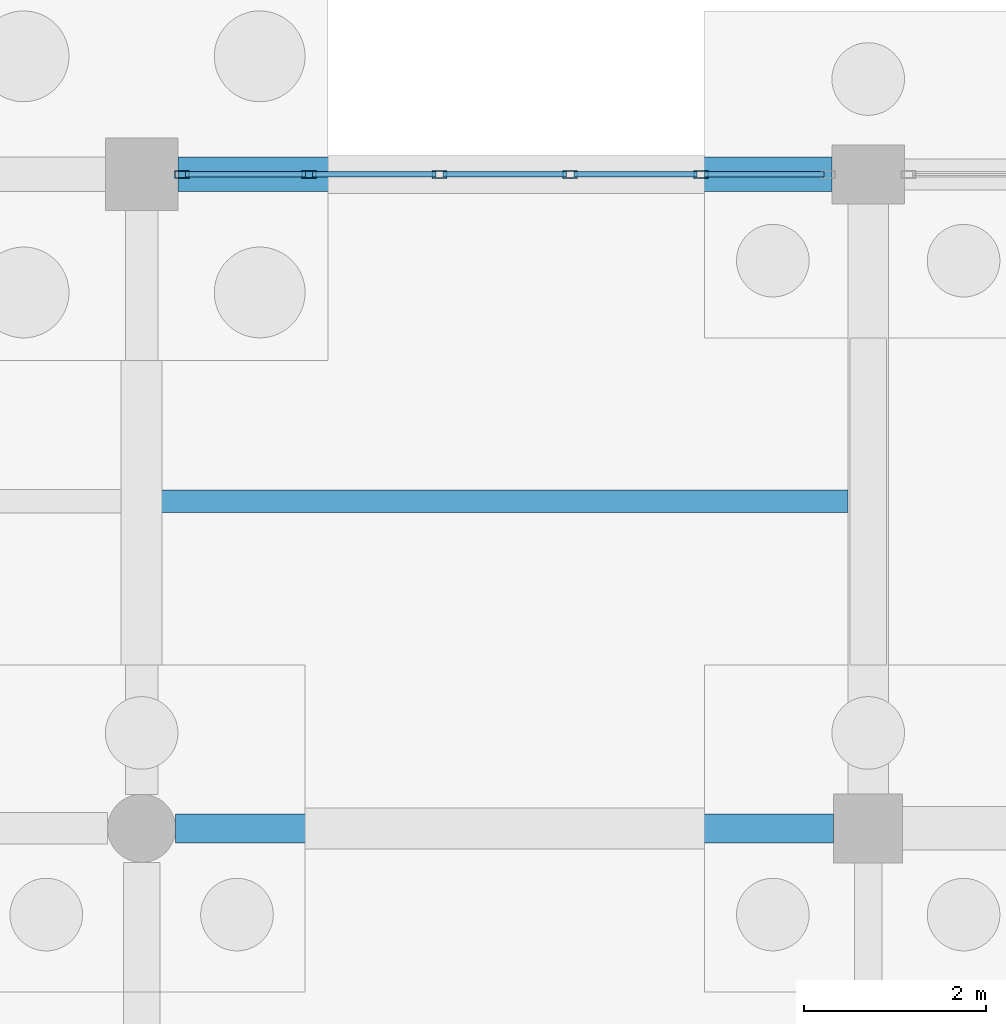
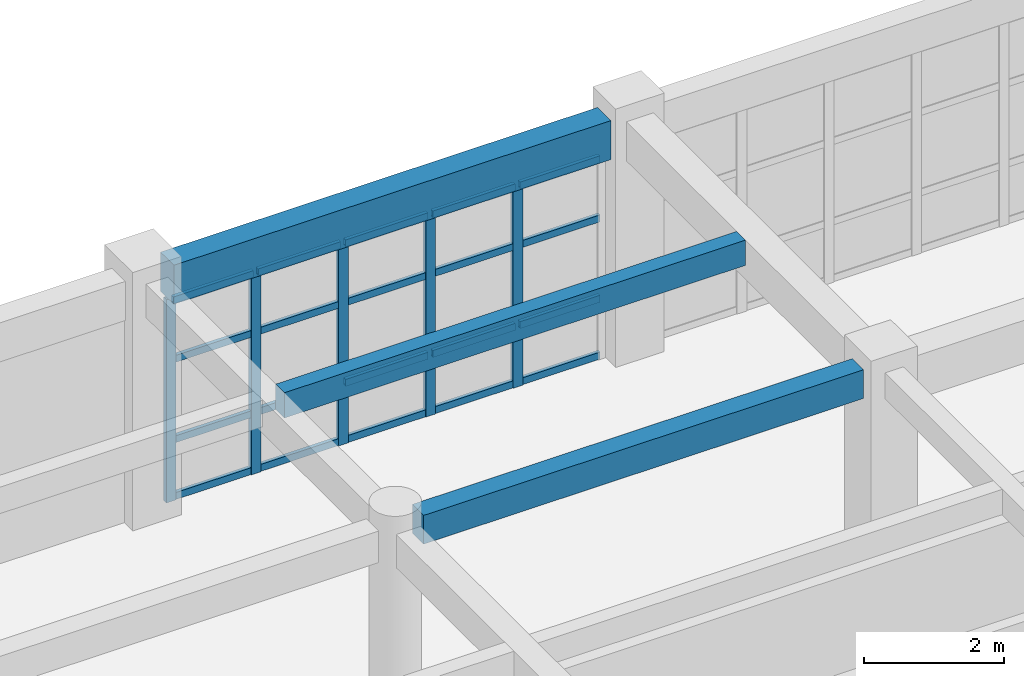
# One storey, part 70 of 166: 25 members, 3 beams, 1 element without a shape of its own.
"""IFC4 building model written with IfcOpenShell, lengths in metres."""

from ifc_helpers import new_model, si_unit, direction, frame, origin, origin_2d, place, context, subcontext, project, spatial, rectangle, hollow_rectangle, extrude, material, material_profile, profile_set, type_object, element, aggregate, save


model = new_model("IFC4")

# Units and contexts
model_context = context("Model", 3, precision=1e-05, world=origin(), true_north=direction((0.0, 1.0)))
body_context = subcontext(model_context, "Body", "Model", "MODEL_VIEW")
ifc_project = project(units=[si_unit("LENGTHUNIT", "METRE"), si_unit("AREAUNIT", "SQUARE_METRE"), si_unit("VOLUMEUNIT", "CUBIC_METRE"), si_unit("PLANEANGLEUNIT", "RADIAN"), si_unit("MASSUNIT", "GRAM", prefix="KILO")], contexts=[model_context])

# Site, building, storey
site_placement = place(None, origin())
site = spatial("IfcSite", under=ifc_project, at=site_placement, CompositionType="ELEMENT")
building_placement = place(site_placement, origin())
building = spatial("IfcBuilding", under=site, at=building_placement, Name="Kharva Crest Polytechnic", CompositionType="ELEMENT")
storey_placement = place(building_placement, origin())
storey = spatial("IfcBuildingStorey", under=building, at=storey_placement, Name="L00", CompositionType="ELEMENT", Elevation=0.0)

# Beam
ifc_material_1 = material(Name="Concrete C35/45", Category="concrete")
ifc_material_profile_1 = material_profile(ifc_material_1, rectangle(XDim=0.320068359375, YDim=0.5, at=origin_2d()), Name="RECT 320 X 500")
ifc_profile_set_1 = profile_set([ifc_material_profile_1], Name="Concrete C35/45")
beam_type_1 = type_object("IfcBeamType", Name="BM-RC-320X500", PredefinedType="BEAM", material=ifc_profile_set_1)
beam_1_placement = place(storey_placement, frame((88.375, 114.800048828125, 3.969970703125), z_axis=(1.0, 0.0, 0.0), x_axis=(0.0, 1.0, 0.0)))
element("IfcBeam", 1, at=beam_1_placement, inside=storey, type_object=beam_type_1, Name="L00 Beam R/12-13", PredefinedType="BEAM", context=body_context, shape_type="SweptSolid", body=[
    extrude(rectangle(XDim=0.320068359375, YDim=0.5, at=origin_2d()), origin(), (0.0, 0.0, 1.0), 7.2451171875),
])

# Curtain wall, members
ifc_material_2 = material(Name="Tempered insulated glass", Category="glass")
curtain_wall_type = type_object("IfcCurtainWallType", Name="CW-SYS-COURT", PredefinedType="USERDEFINED", material=ifc_material_2)
curtain_wall_placement = place(storey_placement, origin())
curtain_wall = element("IfcCurtainWall", 2, at=curtain_wall_placement, inside=storey, type_object=curtain_wall_type, Name="L00 Glazed Curtain Wall CW-027", ObjectType="CURTAIN WALL", PredefinedType="USERDEFINED")
ifc_material_3 = material(Name="Steel S355", Category="steel")
ifc_material_profile_2 = material_profile(ifc_material_3, hollow_rectangle(XDim=0.080078125, YDim=0.159912109375, WallThickness=0.0048828125, at=origin_2d()), Name="RHS 160X80X5.0")
ifc_profile_set_2 = profile_set([ifc_material_profile_2], Name="Steel S355")
member_type_1 = type_object("IfcMemberType", Name="CWM-RHS160X80", PredefinedType="MULLION", material=ifc_profile_set_2)
member_1_placement = place(storey_placement, frame((94.156982421875, 122.0, 0.0), z_axis=(0.0, 0.0, 1.0), x_axis=(0.0, -1.0, 0.0)))
member_1 = element("IfcMember", 3, at=member_1_placement, type_object=member_type_1, Name="CW-027 mullion 2", PredefinedType="MULLION", context=body_context, shape_type="SweptSolid", body=[
    extrude(hollow_rectangle(XDim=0.080078125, YDim=0.159912109375, WallThickness=0.0048828125, at=origin_2d()), origin(), (0.0, 0.0, 1.0), 3.5400390625),
])
member_2_placement = place(storey_placement, frame((92.718994140625, 122.0, 0.0), z_axis=(0.0, 0.0, 1.0), x_axis=(0.0, -1.0, 0.0)))
member_2 = element("IfcMember", 4, at=member_2_placement, type_object=member_type_1, Name="CW-027 mullion 3", PredefinedType="MULLION", context=body_context, shape_type="SweptSolid", body=[
    extrude(hollow_rectangle(XDim=0.080078125, YDim=0.159912109375, WallThickness=0.0048828125, at=origin_2d()), origin(), (0.0, 0.0, 1.0), 3.5400390625),
])
member_3_placement = place(storey_placement, frame((91.281005859375, 122.0, 0.0), z_axis=(0.0, 0.0, 1.0), x_axis=(0.0, -1.0, 0.0)))
member_3 = element("IfcMember", 5, at=member_3_placement, type_object=member_type_1, Name="CW-027 mullion 4", PredefinedType="MULLION", context=body_context, shape_type="SweptSolid", body=[
    extrude(hollow_rectangle(XDim=0.080078125, YDim=0.159912109375, WallThickness=0.0048828125, at=origin_2d()), origin(), (0.0, 0.0, 1.0), 3.5400390625),
])
member_4_placement = place(storey_placement, frame((89.843017578125, 122.0, 0.0), z_axis=(0.0, 0.0, 1.0), x_axis=(0.0, -1.0, 0.0)))
member_4 = element("IfcMember", 6, at=member_4_placement, type_object=member_type_1, Name="CW-027 mullion 5", PredefinedType="MULLION", context=body_context, shape_type="SweptSolid", body=[
    extrude(hollow_rectangle(XDim=0.080078125, YDim=0.159912109375, WallThickness=0.0048828125, at=origin_2d()), origin(), (0.0, 0.0, 1.0), 3.5400390625),
])
member_5_placement = place(storey_placement, frame((88.445068359375, 122.0, 0.0), z_axis=(0.0, 0.0, 1.0), x_axis=(0.0, -1.0, 0.0)))
member_5 = element("IfcMember", 7, at=member_5_placement, type_object=member_type_1, Name="CW-027 mullion 6", PredefinedType="MULLION", context=body_context, shape_type="SweptSolid", body=[
    extrude(hollow_rectangle(XDim=0.080078125, YDim=0.159912109375, WallThickness=0.0048828125, at=origin_2d()), origin(), (0.0, 0.0, 1.0), 3.5400390625),
])
ifc_material_profile_3 = material_profile(ifc_material_3, hollow_rectangle(XDim=0.06005859375, YDim=0.1201171875, WallThickness=0.00390625, at=origin_2d()), Name="RHS 120X60X4.0")
ifc_profile_set_3 = profile_set([ifc_material_profile_3], Name="Steel S355")
member_type_2 = type_object("IfcMemberType", Name="CWT-RHS120X60", PredefinedType="USERDEFINED", material=ifc_profile_set_3)
member_6_placement = place(storey_placement, frame((95.514892578125, 122.0, 0.06005859375), z_axis=(-1.0, 0.0, 0.0), x_axis=(0.0, -1.0, 0.0)))
member_6 = element("IfcMember", 8, at=member_6_placement, type_object=member_type_2, Name="CW-027 transom 1.1", ObjectType="TRANSOM", PredefinedType="USERDEFINED", context=body_context, shape_type="SweptSolid", body=[
    extrude(hollow_rectangle(XDim=0.06005859375, YDim=0.1201171875, WallThickness=0.00390625, at=origin_2d()), origin(), (0.0, 0.0, 1.0), 1.31787109375),
])
member_7_placement = place(storey_placement, frame((95.514892578125, 122.0, 1.050048828125), z_axis=(-1.0, 0.0, 0.0), x_axis=(0.0, -1.0, 0.0)))
member_7 = element("IfcMember", 9, at=member_7_placement, type_object=member_type_2, Name="CW-027 transom 1.2", ObjectType="TRANSOM", PredefinedType="USERDEFINED", context=body_context, shape_type="SweptSolid", body=[
    extrude(hollow_rectangle(XDim=0.06005859375, YDim=0.1201171875, WallThickness=0.00390625, at=origin_2d()), origin(), (0.0, 0.0, 1.0), 1.31787109375),
])
member_8_placement = place(storey_placement, frame((95.514892578125, 122.0, 2.449951171875), z_axis=(-1.0, 0.0, 0.0), x_axis=(0.0, -1.0, 0.0)))
member_8 = element("IfcMember", 10, at=member_8_placement, type_object=member_type_2, Name="CW-027 transom 1.3", ObjectType="TRANSOM", PredefinedType="USERDEFINED", context=body_context, shape_type="SweptSolid", body=[
    extrude(hollow_rectangle(XDim=0.06005859375, YDim=0.1201171875, WallThickness=0.00390625, at=origin_2d()), origin(), (0.0, 0.0, 1.0), 1.31787109375),
])
member_9_placement = place(storey_placement, frame((95.514892578125, 122.0, 3.47998046875), z_axis=(-1.0, 0.0, 0.0), x_axis=(0.0, -1.0, 0.0)))
member_9 = element("IfcMember", 11, at=member_9_placement, type_object=member_type_2, Name="CW-027 transom 1.4", ObjectType="TRANSOM", PredefinedType="USERDEFINED", context=body_context, shape_type="SweptSolid", body=[
    extrude(hollow_rectangle(XDim=0.06005859375, YDim=0.1201171875, WallThickness=0.00390625, at=origin_2d()), origin(), (0.0, 0.0, 1.0), 1.31787109375),
])
member_10_placement = place(storey_placement, frame((94.116943359375, 122.0, 0.06005859375), z_axis=(-1.0, 0.0, 0.0), x_axis=(0.0, -1.0, 0.0)))
member_10 = element("IfcMember", 12, at=member_10_placement, type_object=member_type_2, Name="CW-027 transom 2.1", ObjectType="TRANSOM", PredefinedType="USERDEFINED", context=body_context, shape_type="SweptSolid", body=[
    extrude(hollow_rectangle(XDim=0.06005859375, YDim=0.1201171875, WallThickness=0.00390625, at=origin_2d()), origin(), (0.0, 0.0, 1.0), 1.35791015625),
])
member_11_placement = place(storey_placement, frame((94.116943359375, 122.0, 1.050048828125), z_axis=(-1.0, 0.0, 0.0), x_axis=(0.0, -1.0, 0.0)))
member_11 = element("IfcMember", 13, at=member_11_placement, type_object=member_type_2, Name="CW-027 transom 2.2", ObjectType="TRANSOM", PredefinedType="USERDEFINED", context=body_context, shape_type="SweptSolid", body=[
    extrude(hollow_rectangle(XDim=0.06005859375, YDim=0.1201171875, WallThickness=0.00390625, at=origin_2d()), origin(), (0.0, 0.0, 1.0), 1.35791015625),
])
member_12_placement = place(storey_placement, frame((94.116943359375, 122.0, 2.449951171875), z_axis=(-1.0, 0.0, 0.0), x_axis=(0.0, -1.0, 0.0)))
member_12 = element("IfcMember", 14, at=member_12_placement, type_object=member_type_2, Name="CW-027 transom 2.3", ObjectType="TRANSOM", PredefinedType="USERDEFINED", context=body_context, shape_type="SweptSolid", body=[
    extrude(hollow_rectangle(XDim=0.06005859375, YDim=0.1201171875, WallThickness=0.00390625, at=origin_2d()), origin(), (0.0, 0.0, 1.0), 1.35791015625),
])
member_13_placement = place(storey_placement, frame((94.116943359375, 122.0, 3.47998046875), z_axis=(-1.0, 0.0, 0.0), x_axis=(0.0, -1.0, 0.0)))
member_13 = element("IfcMember", 15, at=member_13_placement, type_object=member_type_2, Name="CW-027 transom 2.4", ObjectType="TRANSOM", PredefinedType="USERDEFINED", context=body_context, shape_type="SweptSolid", body=[
    extrude(hollow_rectangle(XDim=0.06005859375, YDim=0.1201171875, WallThickness=0.00390625, at=origin_2d()), origin(), (0.0, 0.0, 1.0), 1.35791015625),
])
member_14_placement = place(storey_placement, frame((92.678955078125, 122.0, 0.06005859375), z_axis=(-1.0, 0.0, 0.0), x_axis=(0.0, -1.0, 0.0)))
member_14 = element("IfcMember", 16, at=member_14_placement, type_object=member_type_2, Name="CW-027 transom 3.1", ObjectType="TRANSOM", PredefinedType="USERDEFINED", context=body_context, shape_type="SweptSolid", body=[
    extrude(hollow_rectangle(XDim=0.06005859375, YDim=0.1201171875, WallThickness=0.00390625, at=origin_2d()), origin(), (0.0, 0.0, 1.0), 1.35791015625),
])
member_15_placement = place(storey_placement, frame((92.678955078125, 122.0, 1.050048828125), z_axis=(-1.0, 0.0, 0.0), x_axis=(0.0, -1.0, 0.0)))
member_15 = element("IfcMember", 17, at=member_15_placement, type_object=member_type_2, Name="CW-027 transom 3.2", ObjectType="TRANSOM", PredefinedType="USERDEFINED", context=body_context, shape_type="SweptSolid", body=[
    extrude(hollow_rectangle(XDim=0.06005859375, YDim=0.1201171875, WallThickness=0.00390625, at=origin_2d()), origin(), (0.0, 0.0, 1.0), 1.35791015625),
])
member_16_placement = place(storey_placement, frame((92.678955078125, 122.0, 2.449951171875), z_axis=(-1.0, 0.0, 0.0), x_axis=(0.0, -1.0, 0.0)))
member_16 = element("IfcMember", 18, at=member_16_placement, type_object=member_type_2, Name="CW-027 transom 3.3", ObjectType="TRANSOM", PredefinedType="USERDEFINED", context=body_context, shape_type="SweptSolid", body=[
    extrude(hollow_rectangle(XDim=0.06005859375, YDim=0.1201171875, WallThickness=0.00390625, at=origin_2d()), origin(), (0.0, 0.0, 1.0), 1.35791015625),
])
member_17_placement = place(storey_placement, frame((92.678955078125, 122.0, 3.47998046875), z_axis=(-1.0, 0.0, 0.0), x_axis=(0.0, -1.0, 0.0)))
member_17 = element("IfcMember", 19, at=member_17_placement, type_object=member_type_2, Name="CW-027 transom 3.4", ObjectType="TRANSOM", PredefinedType="USERDEFINED", context=body_context, shape_type="SweptSolid", body=[
    extrude(hollow_rectangle(XDim=0.06005859375, YDim=0.1201171875, WallThickness=0.00390625, at=origin_2d()), origin(), (0.0, 0.0, 1.0), 1.35791015625),
])
member_18_placement = place(storey_placement, frame((91.240966796875, 122.0, 0.06005859375), z_axis=(-1.0, 0.0, 0.0), x_axis=(0.0, -1.0, 0.0)))
member_18 = element("IfcMember", 20, at=member_18_placement, type_object=member_type_2, Name="CW-027 transom 4.1", ObjectType="TRANSOM", PredefinedType="USERDEFINED", context=body_context, shape_type="SweptSolid", body=[
    extrude(hollow_rectangle(XDim=0.06005859375, YDim=0.1201171875, WallThickness=0.00390625, at=origin_2d()), origin(), (0.0, 0.0, 1.0), 1.35791015625),
])
member_19_placement = place(storey_placement, frame((91.240966796875, 122.0, 1.050048828125), z_axis=(-1.0, 0.0, 0.0), x_axis=(0.0, -1.0, 0.0)))
member_19 = element("IfcMember", 21, at=member_19_placement, type_object=member_type_2, Name="CW-027 transom 4.2", ObjectType="TRANSOM", PredefinedType="USERDEFINED", context=body_context, shape_type="SweptSolid", body=[
    extrude(hollow_rectangle(XDim=0.06005859375, YDim=0.1201171875, WallThickness=0.00390625, at=origin_2d()), origin(), (0.0, 0.0, 1.0), 1.35791015625),
])
member_20_placement = place(storey_placement, frame((91.240966796875, 122.0, 2.449951171875), z_axis=(-1.0, 0.0, 0.0), x_axis=(0.0, -1.0, 0.0)))
member_20 = element("IfcMember", 22, at=member_20_placement, type_object=member_type_2, Name="CW-027 transom 4.3", ObjectType="TRANSOM", PredefinedType="USERDEFINED", context=body_context, shape_type="SweptSolid", body=[
    extrude(hollow_rectangle(XDim=0.06005859375, YDim=0.1201171875, WallThickness=0.00390625, at=origin_2d()), origin(), (0.0, 0.0, 1.0), 1.35791015625),
])
member_21_placement = place(storey_placement, frame((91.240966796875, 122.0, 3.47998046875), z_axis=(-1.0, 0.0, 0.0), x_axis=(0.0, -1.0, 0.0)))
member_21 = element("IfcMember", 23, at=member_21_placement, type_object=member_type_2, Name="CW-027 transom 4.4", ObjectType="TRANSOM", PredefinedType="USERDEFINED", context=body_context, shape_type="SweptSolid", body=[
    extrude(hollow_rectangle(XDim=0.06005859375, YDim=0.1201171875, WallThickness=0.00390625, at=origin_2d()), origin(), (0.0, 0.0, 1.0), 1.35791015625),
])
member_22_placement = place(storey_placement, frame((89.802978515625, 122.0, 0.06005859375), z_axis=(-1.0, 0.0, 0.0), x_axis=(0.0, -1.0, 0.0)))
member_22 = element("IfcMember", 24, at=member_22_placement, type_object=member_type_2, Name="CW-027 transom 5.1", ObjectType="TRANSOM", PredefinedType="USERDEFINED", context=body_context, shape_type="SweptSolid", body=[
    extrude(hollow_rectangle(XDim=0.06005859375, YDim=0.1201171875, WallThickness=0.00390625, at=origin_2d()), origin(), (0.0, 0.0, 1.0), 1.31787109375),
])
member_23_placement = place(storey_placement, frame((89.802978515625, 122.0, 1.050048828125), z_axis=(-1.0, 0.0, 0.0), x_axis=(0.0, -1.0, 0.0)))
member_23 = element("IfcMember", 25, at=member_23_placement, type_object=member_type_2, Name="CW-027 transom 5.2", ObjectType="TRANSOM", PredefinedType="USERDEFINED", context=body_context, shape_type="SweptSolid", body=[
    extrude(hollow_rectangle(XDim=0.06005859375, YDim=0.1201171875, WallThickness=0.00390625, at=origin_2d()), origin(), (0.0, 0.0, 1.0), 1.31787109375),
])
member_24_placement = place(storey_placement, frame((89.802978515625, 122.0, 2.449951171875), z_axis=(-1.0, 0.0, 0.0), x_axis=(0.0, -1.0, 0.0)))
member_24 = element("IfcMember", 26, at=member_24_placement, type_object=member_type_2, Name="CW-027 transom 5.3", ObjectType="TRANSOM", PredefinedType="USERDEFINED", context=body_context, shape_type="SweptSolid", body=[
    extrude(hollow_rectangle(XDim=0.06005859375, YDim=0.1201171875, WallThickness=0.00390625, at=origin_2d()), origin(), (0.0, 0.0, 1.0), 1.31787109375),
])
member_25_placement = place(storey_placement, frame((89.802978515625, 122.0, 3.47998046875), z_axis=(-1.0, 0.0, 0.0), x_axis=(0.0, -1.0, 0.0)))
member_25 = element("IfcMember", 27, at=member_25_placement, type_object=member_type_2, Name="CW-027 transom 5.4", ObjectType="TRANSOM", PredefinedType="USERDEFINED", context=body_context, shape_type="SweptSolid", body=[
    extrude(hollow_rectangle(XDim=0.06005859375, YDim=0.1201171875, WallThickness=0.00390625, at=origin_2d()), origin(), (0.0, 0.0, 1.0), 1.31787109375),
])
aggregate(curtain_wall, [member_1, member_2, member_3, member_4, member_5, member_6, member_7, member_8, member_9, member_10, member_11, member_12, member_13, member_14, member_15, member_16, member_17, member_18, member_19, member_20, member_21, member_22, member_23, member_24, member_25])

# Beams
ifc_material_profile_4 = material_profile(ifc_material_1, rectangle(XDim=0.25, YDim=0.43994140625, at=origin_2d()), Name="RECT 250 X 440")
ifc_profile_set_4 = profile_set([ifc_material_profile_4], Name="Concrete C35/45")
beam_type_2 = type_object("IfcBeamType", Name="JS-RC-250X440", PredefinedType="JOIST", material=ifc_profile_set_4)
beam_2_placement = place(storey_placement, frame((88.179931640625, 118.39990234375, 4.0), z_axis=(1.0, 0.0, 0.0), x_axis=(0.0, 1.0, 0.0)))
element("IfcBeam", 28, at=beam_2_placement, inside=storey, type_object=beam_type_2, Name="L00 Floor Joist 48", PredefinedType="JOIST", context=body_context, shape_type="SweptSolid", body=[
    extrude(rectangle(XDim=0.25, YDim=0.43994140625, at=origin_2d()), origin(), (0.0, 0.0, 1.0), 7.594970703125),
])
ifc_material_profile_5 = material_profile(ifc_material_1, rectangle(XDim=0.3798828125, YDim=0.679931640625, at=origin_2d()), Name="RECT 380 X 680")
ifc_profile_set_5 = profile_set([ifc_material_profile_5], Name="Concrete C35/45")
beam_type_3 = type_object("IfcBeamType", Name="SP-RC-380X680", PredefinedType="SPANDREL", material=ifc_profile_set_5)
beam_3_placement = place(storey_placement, frame((88.39990234375, 122.0, 3.8798828125), z_axis=(1.0, 0.0, 0.0), x_axis=(0.0, 1.0, 0.0)))
element("IfcBeam", 29, at=beam_3_placement, inside=storey, type_object=beam_type_3, Name="L00 Beam S/12-13", PredefinedType="SPANDREL", context=body_context, shape_type="SweptSolid", body=[
    extrude(rectangle(XDim=0.3798828125, YDim=0.679931640625, at=origin_2d()), origin(), (0.0, 0.0, 1.0), 7.2001953125),
])

save(model, "model.ifc")
